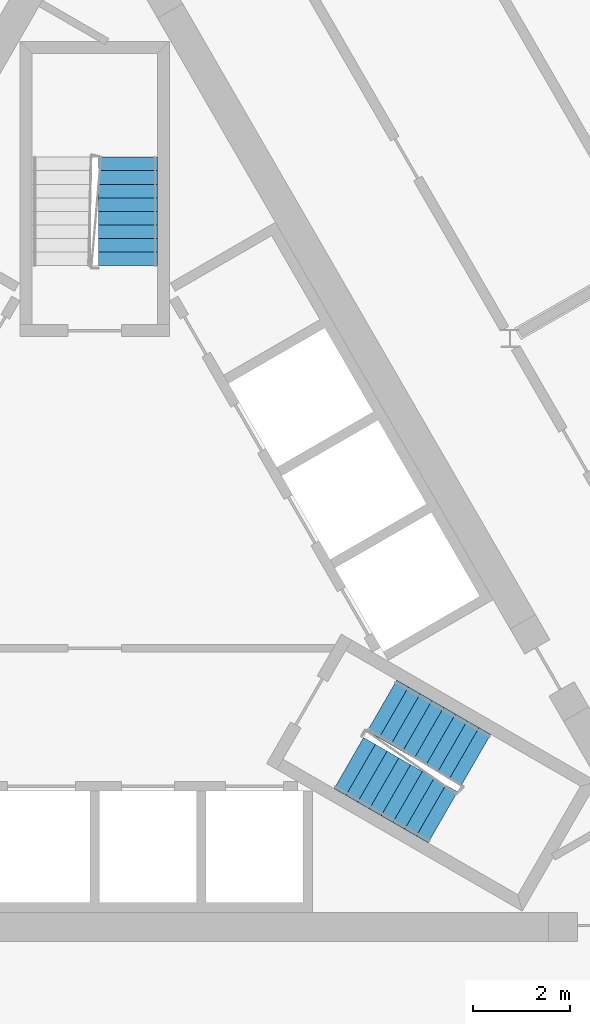
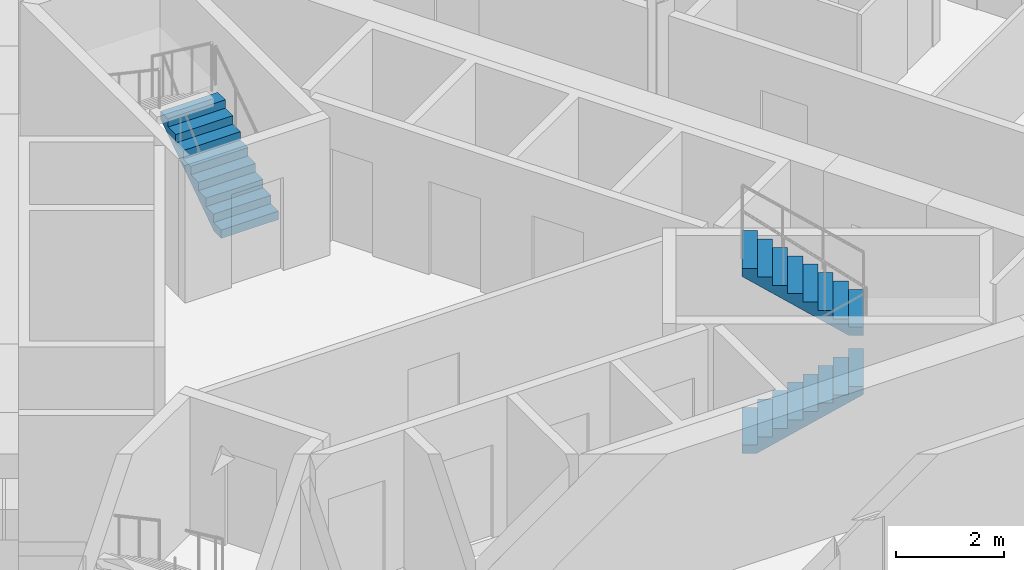
# One storey, part 18 of 26: 3 stair flights, 2 elements without a shape of their own.
"""IFC4 building model written with IfcOpenShell, lengths in metres."""

from ifc_helpers import new_model, si_unit, direction, frame, origin, place, context, subcontext, project, spatial, polyline, outline, extrude, material, type_object, element, aggregate, save


model = new_model("IFC4")

# Units and contexts
model_context = context("Model", 3, precision=1e-05, world=origin(), true_north=direction((0.0, 1.0)))
body_context = subcontext(model_context, "Body", "Model", "MODEL_VIEW")
ifc_project = project(units=[si_unit("LENGTHUNIT", "METRE"), si_unit("AREAUNIT", "SQUARE_METRE"), si_unit("VOLUMEUNIT", "CUBIC_METRE"), si_unit("PLANEANGLEUNIT", "RADIAN"), si_unit("MASSUNIT", "GRAM", prefix="KILO")], contexts=[model_context])

# Site, building, storey
site_placement = place(None, origin())
site = spatial("IfcSite", under=ifc_project, at=site_placement, CompositionType="ELEMENT")
building_placement = place(site_placement, origin())
building = spatial("IfcBuilding", under=site, at=building_placement, Name="Cormorant Prow Tower", CompositionType="ELEMENT")
storey_placement = place(building_placement, frame((0.0, 0.0, 381.39990234375)))
storey = spatial("IfcBuildingStorey", under=building, at=storey_placement, Name="L86", CompositionType="ELEMENT", Elevation=381.39990234375)

# Stair, stair flights
ifc_material_1 = material(Name="Exit stair 18 risers")
stair_type = type_object("IfcStairType", Name="Exit stair 18 risers", PredefinedType="HALF_TURN_STAIR", material=ifc_material_1)
stair_1_placement = place(storey_placement, origin())
stair_1 = element("IfcStair", 1, at=stair_1_placement, inside=storey, type_object=stair_type, Name="L86 Exit stair ST2", PredefinedType="HALF_TURN_STAIR")
ifc_material_2 = material(Name="Concrete 5000 psi", Category="concrete")
stair_flight_type = type_object("IfcStairFlightType", Name="Stair flight 1219", PredefinedType="STRAIGHT", material=ifc_material_2)
stair_flight_1_placement = place(storey_placement, frame((5.24853515625, -3.82080078125, 0.0), z_axis=(0.0, 0.0, 1.0), x_axis=(0.866025403784, -0.5, 0.0)))
stair_flight_1 = element("IfcStairFlight", 2, at=stair_flight_1_placement, type_object=stair_flight_type, Name="ST2 flight 1", NumberOfRisers=9, NumberOfTreads=8, PredefinedType="STRAIGHT", RiserHeight=0.188888889, TreadLength=0.28, context=body_context, shape_type="SweptSolid", body=[
    extrude(outline(polyline([(0.0, 0.0), (0.0, 0.18896484375), (0.280029296875, 0.18896484375), (0.280029296875, 0.377685546875), (0.56005859375, 0.377685546875), (0.56005859375, 0.566650390625), (0.840087890625, 0.566650390625), (0.840087890625, 0.755615234375), (1.1201171875, 0.755615234375), (1.1201171875, 0.9443359375), (1.39990234375, 0.9443359375), (1.39990234375, 1.13330078125), (1.679931640625, 1.13330078125), (1.679931640625, 1.322265625), (1.9599609375, 1.322265625), (1.9599609375, 1.51123046875), (2.239990234375, 1.51123046875), (2.239990234375, 1.699951171875), (2.239990234375, 1.330322265625), (0.26806640625, 0.0), (0.0, 0.0)])), frame((0.0, 0.609375, 0.0), z_axis=(0.0, -1.0, 0.0), x_axis=(1.0, 0.0, 0.0)), (0.0, 0.0, 1.0), 1.218994140625),
])
stair_flight_2_placement = place(storey_placement, frame((7.873046875, -3.755126953125, 1.7001953125), z_axis=(0.0, 0.0, 1.0), x_axis=(-0.866025403784, 0.5, 0.0)))
stair_flight_2 = element("IfcStairFlight", 3, at=stair_flight_2_placement, type_object=stair_flight_type, Name="ST2 flight 2", NumberOfRisers=9, NumberOfTreads=8, PredefinedType="STRAIGHT", RiserHeight=0.188888889, TreadLength=0.28, context=body_context, shape_type="SweptSolid", body=[
    extrude(outline(polyline([(0.0, 0.0), (0.0, 0.18896484375), (0.280029296875, 0.18896484375), (0.280029296875, 0.377685546875), (0.56005859375, 0.377685546875), (0.56005859375, 0.566650390625), (0.840087890625, 0.566650390625), (0.840087890625, 0.755615234375), (1.1201171875, 0.755615234375), (1.1201171875, 0.9443359375), (1.39990234375, 0.9443359375), (1.39990234375, 1.13330078125), (1.679931640625, 1.13330078125), (1.679931640625, 1.322265625), (1.9599609375, 1.322265625), (1.9599609375, 1.51123046875), (2.239990234375, 1.51123046875), (2.239990234375, 1.699951171875), (2.239990234375, 1.330322265625), (0.26806640625, 0.0), (0.0, 0.0)])), frame((0.0, 0.609375, 0.0), z_axis=(0.0, -1.0, 0.0), x_axis=(1.0, 0.0, 0.0)), (0.0, 0.0, 1.0), 1.218994140625),
])
aggregate(stair_1, [stair_flight_1, stair_flight_2])

# Stair, stair flight
stair_2_placement = place(storey_placement, origin())
stair_2 = element("IfcStair", 4, at=stair_2_placement, inside=storey, type_object=stair_type, Name="L86 Exit stair ST3", PredefinedType="HALF_TURN_STAIR")
stair_flight_3_placement = place(storey_placement, frame((0.6845703125, 6.455810546875, 0.0), z_axis=(0.0, 0.0, 1.0), x_axis=(0.0, 1.0, 0.0)))
stair_flight_3 = element("IfcStairFlight", 5, at=stair_flight_3_placement, type_object=stair_flight_type, Name="ST3 flight 1", NumberOfRisers=9, NumberOfTreads=8, PredefinedType="STRAIGHT", RiserHeight=0.188888889, TreadLength=0.28, context=body_context, shape_type="SweptSolid", body=[
    extrude(outline(polyline([(0.0, 0.0), (0.0, 0.18896484375), (0.280029296875, 0.18896484375), (0.280029296875, 0.377685546875), (0.56005859375, 0.377685546875), (0.56005859375, 0.566650390625), (0.840087890625, 0.566650390625), (0.840087890625, 0.755615234375), (1.1201171875, 0.755615234375), (1.1201171875, 0.9443359375), (1.39990234375, 0.9443359375), (1.39990234375, 1.13330078125), (1.679931640625, 1.13330078125), (1.679931640625, 1.322265625), (1.9599609375, 1.322265625), (1.9599609375, 1.51123046875), (2.239990234375, 1.51123046875), (2.239990234375, 1.699951171875), (2.239990234375, 1.330322265625), (0.26806640625, 0.0), (0.0, 0.0)])), frame((0.0, 0.609375, 0.0), z_axis=(0.0, -1.0, 0.0), x_axis=(1.0, 0.0, 0.0)), (0.0, 0.0, 1.0), 1.218994140625),
])
aggregate(stair_2, [stair_flight_3])

save(model, "model.ifc")
